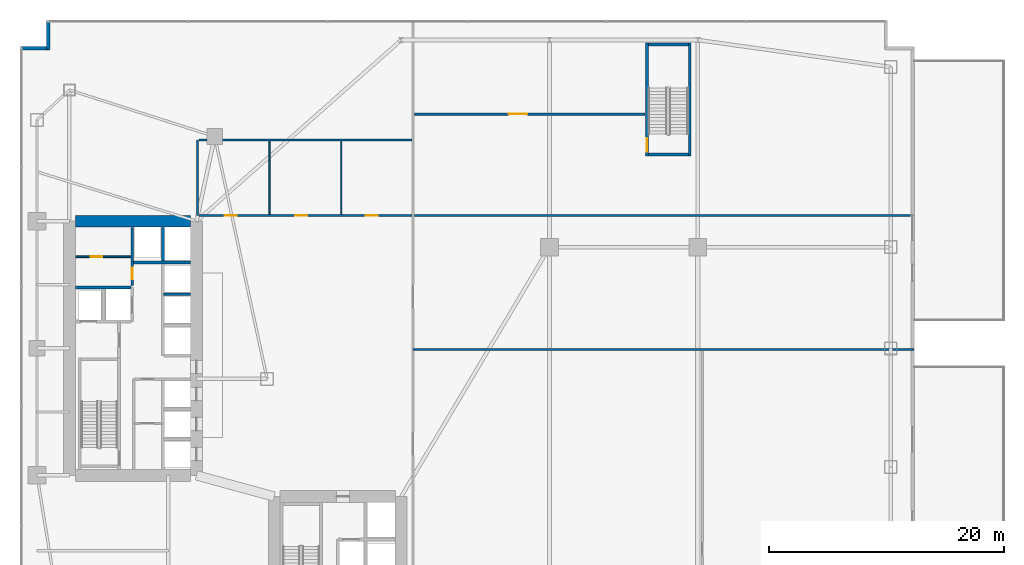
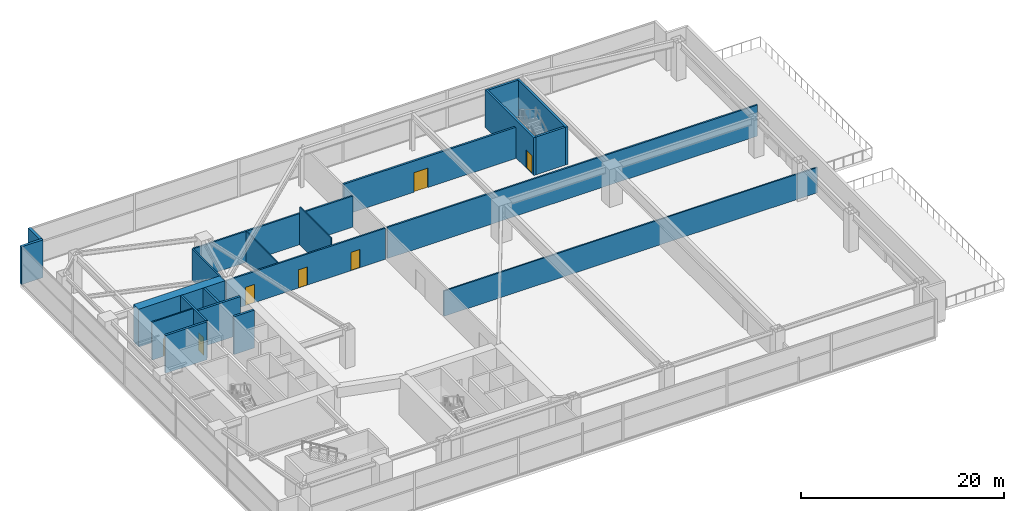
# One storey, part 26 of 30: 21 walls, 7 doors, 7 openings.
"""IFC4 building model written with IfcOpenShell, lengths in metres."""

from ifc_helpers import new_model, si_unit, direction, frame, frame_2d, origin, place, context, subcontext, project, spatial, rectangle, extrude, material, layer, layer_set, type_object, element, fill, save


model = new_model("IFC4")

# Units and contexts
model_context = context("Model", 3, precision=1e-05, world=origin(), true_north=direction((0.0, 1.0)))
body_context = subcontext(model_context, "Body", "Model", "MODEL_VIEW")
ifc_project = project(units=[si_unit("LENGTHUNIT", "METRE"), si_unit("AREAUNIT", "SQUARE_METRE"), si_unit("VOLUMEUNIT", "CUBIC_METRE"), si_unit("PLANEANGLEUNIT", "RADIAN"), si_unit("MASSUNIT", "GRAM", prefix="KILO")], contexts=[model_context])

# Site, building, storey
site_placement = place(None, origin())
site = spatial("IfcSite", under=ifc_project, at=site_placement, CompositionType="ELEMENT")
building_placement = place(site_placement, origin())
building = spatial("IfcBuilding", under=site, at=building_placement, Name="Calvorn Quay Hotel", CompositionType="ELEMENT")
storey_placement = place(building_placement, frame((0.0, 0.0, 17.0)))
storey = spatial("IfcBuildingStorey", under=building, at=storey_placement, Name="L03", CompositionType="ELEMENT", Elevation=17.0)

# Wall
ifc_material_1 = material(Name="Concrete C60", Category="concrete")
ifc_layer_1 = layer(ifc_material_1, 1.0)
ifc_layer_set_1 = layer_set([ifc_layer_1], Name="WL-CORE-1000")
wall_type_1 = type_object("IfcWallType", Name="WL-CORE-1000", PredefinedType="SHEAR", material=ifc_layer_set_1)
wall_1_placement = place(storey_placement, frame((4.699951171875, 38.39990234375, 0.0), z_axis=(0.0, 0.0, 1.0), x_axis=(1.0, 0.0, 0.0)))
element("IfcWall", 1, at=wall_1_placement, inside=storey, type_object=wall_type_1, Name="West Core Shear Wall N (L03)", PredefinedType="SHEAR", context=body_context, shape_type="SweptSolid", body=[
    extrude(rectangle(XDim=9.800048828125, YDim=1.0, at=frame_2d((4.89990234375, 0.0))), origin(), (0.0, 0.0, 1.0), 4.550048828125),
])

# Wall, openings, doors
ifc_material_2 = material(Name="Acoustic Fireboard Steel-Stud Partition", Category="steel")
ifc_layer_2 = layer(ifc_material_2, 0.179931640625)
ifc_layer_set_2 = layer_set([ifc_layer_2], Name="WL-CORR-FIRE-180")
wall_type_2 = type_object("IfcWallType", Name="WL-CORR-FIRE-180", PredefinedType="PARTITIONING", material=ifc_layer_set_2)
wall_2_placement = place(storey_placement, frame((15.199951171875, 38.89990234375, 0.0), z_axis=(0.0, 0.0, 1.0), x_axis=(1.0, 0.0, 0.0)))
wall_2 = element("IfcWall", 2, at=wall_2_placement, inside=storey, type_object=wall_type_2, Name="Partition Wall L03-WL-PWC-S", PredefinedType="PARTITIONING", context=body_context, shape_type="SweptSolid", body=[
    extrude(rectangle(XDim=18.10009765625, YDim=0.179931640625, at=frame_2d((9.050048828125, 0.0))), origin(), (0.0, 0.0, 1.0), 3.75),
])
opening_1_placement = place(wall_2_placement, frame((2.199951171875, 0.0, 0.0)))
opening_1 = element("IfcOpeningElement", 3, at=opening_1_placement, cuts=wall_2, Name="Opening D-L03-WM", PredefinedType="OPENING", context=body_context, shape_type="SweptSolid", body=[
    extrude(rectangle(XDim=1.02001953125, YDim=2.199951171875, at=frame_2d((0.510009765625, 1.10009765625))), frame((0.0, 0.099853515625, 0.0), z_axis=(0.0, -1.0, 0.0), x_axis=(1.0, 0.0, 0.0)), (0.0, 0.0, 1.0), 0.199951171875),
])
opening_2_placement = place(wall_2_placement, frame((8.199951171875, 0.0, 0.0)))
opening_2 = element("IfcOpeningElement", 4, at=opening_2_placement, cuts=wall_2, Name="Opening D-L03-WF", PredefinedType="OPENING", context=body_context, shape_type="SweptSolid", body=[
    extrude(rectangle(XDim=1.02001953125, YDim=2.199951171875, at=frame_2d((0.510009765625, 1.10009765625))), frame((0.0, 0.099853515625, 0.0), z_axis=(0.0, -1.0, 0.0), x_axis=(1.0, 0.0, 0.0)), (0.0, 0.0, 1.0), 0.199951171875),
])
opening_3_placement = place(wall_2_placement, frame((14.199951171875, 0.0, 0.0)))
opening_3 = element("IfcOpeningElement", 5, at=opening_3_placement, cuts=wall_2, Name="Opening D-L03-WA", PredefinedType="OPENING", context=body_context, shape_type="SweptSolid", body=[
    extrude(rectangle(XDim=1.02001953125, YDim=2.199951171875, at=frame_2d((0.510009765625, 1.10009765625))), frame((0.0, 0.099853515625, 0.0), z_axis=(0.0, -1.0, 0.0), x_axis=(1.0, 0.0, 0.0)), (0.0, 0.0, 1.0), 0.199951171875),
])
ifc_material_3 = material(Name="Solid-Core Walnut Veneer Hotel Fire Door")
door_type_1 = type_object("IfcDoorType", Name="DR-GUEST-ENTRY-1020", OperationType="NOTDEFINED", PredefinedType="DOOR", material=ifc_material_3)
door_1_placement = place(opening_1_placement, origin())
door_1 = element("IfcDoor", 6, at=door_1_placement, inside=storey, type_object=door_type_1, Name="Male WC Door", OperationType="SINGLE_SWING_LEFT", OverallHeight=2.199951171875, OverallWidth=1.02001953125, PredefinedType="DOOR", context=body_context, shape_type="SweptSolid", body=[
    extrude(rectangle(XDim=1.02001953125, YDim=2.199951171875, at=frame_2d((0.510009765625, 1.10009765625))), frame((0.0, 0.02490234375, 0.0), z_axis=(0.0, -1.0, 0.0), x_axis=(1.0, 0.0, 0.0)), (0.0, 0.0, 1.0), 0.050048828125),
])
fill(opening_1, door_1)
door_2_placement = place(opening_2_placement, origin())
door_2 = element("IfcDoor", 7, at=door_2_placement, inside=storey, type_object=door_type_1, Name="Female WC Door", OperationType="SINGLE_SWING_RIGHT", OverallHeight=2.199951171875, OverallWidth=1.02001953125, PredefinedType="DOOR", context=body_context, shape_type="SweptSolid", body=[
    extrude(rectangle(XDim=1.02001953125, YDim=2.199951171875, at=frame_2d((0.510009765625, 1.10009765625))), frame((0.0, 0.02490234375, 0.0), z_axis=(0.0, -1.0, 0.0), x_axis=(1.0, 0.0, 0.0)), (0.0, 0.0, 1.0), 0.050048828125),
])
fill(opening_2, door_2)
door_3_placement = place(opening_3_placement, origin())
door_3 = element("IfcDoor", 8, at=door_3_placement, inside=storey, type_object=door_type_1, Name="Accessible WC Door", OperationType="SINGLE_SWING_LEFT", OverallHeight=2.199951171875, OverallWidth=1.02001953125, PredefinedType="DOOR", context=body_context, shape_type="SweptSolid", body=[
    extrude(rectangle(XDim=1.02001953125, YDim=2.199951171875, at=frame_2d((0.510009765625, 1.10009765625))), frame((0.0, 0.02490234375, 0.0), z_axis=(0.0, -1.0, 0.0), x_axis=(1.0, 0.0, 0.0)), (0.0, 0.0, 1.0), 0.050048828125),
])
fill(opening_3, door_3)

# Walls
wall_3_placement = place(storey_placement, frame((15.199951171875, 45.300048828125, 0.0), z_axis=(0.0, 0.0, 1.0), x_axis=(1.0, 0.0, 0.0)))
element("IfcWall", 9, at=wall_3_placement, inside=storey, type_object=wall_type_2, Name="Partition Wall L03-WL-PWC-N", PredefinedType="PARTITIONING", context=body_context, shape_type="SweptSolid", body=[
    extrude(rectangle(XDim=18.10009765625, YDim=0.179931640625, at=frame_2d((9.050048828125, 0.0))), origin(), (0.0, 0.0, 1.0), 3.75),
])
wall_4_placement = place(storey_placement, frame((15.10009765625, 38.89990234375, 0.0), z_axis=(0.0, 0.0, 1.0), x_axis=(0.0, 1.0, 0.0)))
element("IfcWall", 10, at=wall_4_placement, inside=storey, type_object=wall_type_2, Name="Partition Wall L03-WL-PWC-W", PredefinedType="PARTITIONING", context=body_context, shape_type="SweptSolid", body=[
    extrude(rectangle(XDim=6.400146484375, YDim=0.179931640625, at=frame_2d((3.2001953125, 0.0))), origin(), (0.0, 0.0, 1.0), 3.75),
])
wall_5_placement = place(storey_placement, frame((33.52001953125, 38.89990234375, 0.0), z_axis=(0.0, 0.0, 1.0), x_axis=(1.0, 0.0, 0.0)))
element("IfcWall", 11, at=wall_5_placement, inside=storey, type_object=wall_type_2, Name="Partition Wall L03-WL-L03-RS-N", PredefinedType="PARTITIONING", context=body_context, shape_type="SweptSolid", body=[
    extrude(rectangle(XDim=42.159912109375, YDim=0.179931640625, at=frame_2d((21.080078125, 0.0))), origin(), (0.0, 0.0, 1.0), 3.75),
])
ifc_material_4 = material(Name="Moisture-Resistant Tile-Backed Partition")
ifc_layer_3 = layer(ifc_material_4, 0.125)
ifc_layer_set_3 = layer_set([ifc_layer_3], Name="WL-ENSUITE-125")
wall_type_3 = type_object("IfcWallType", Name="WL-ENSUITE-125", PredefinedType="PARTITIONING", material=ifc_layer_set_3)
wall_6_placement = place(storey_placement, frame((21.199951171875, 39.0, 0.0), z_axis=(0.0, 0.0, 1.0), x_axis=(0.0, 1.0, 0.0)))
element("IfcWall", 12, at=wall_6_placement, inside=storey, type_object=wall_type_3, Name="Partition Wall L03-WL-PWC-D1", PredefinedType="PARTITIONING", context=body_context, shape_type="SweptSolid", body=[
    extrude(rectangle(XDim=6.199951171875, YDim=0.125, at=frame_2d((3.10009765625, 0.0))), origin(), (0.0, 0.0, 1.0), 3.75),
])
wall_7_placement = place(storey_placement, frame((27.300048828125, 39.0, 0.0), z_axis=(0.0, 0.0, 1.0), x_axis=(0.0, 1.0, 0.0)))
element("IfcWall", 13, at=wall_7_placement, inside=storey, type_object=wall_type_3, Name="Partition Wall L03-WL-PWC-D2", PredefinedType="PARTITIONING", context=body_context, shape_type="SweptSolid", body=[
    extrude(rectangle(XDim=6.199951171875, YDim=0.125, at=frame_2d((3.10009765625, 0.0))), origin(), (0.0, 0.0, 1.0), 4.550048828125),
])
ifc_material_5 = material(Name="Concrete C40", Category="concrete")
ifc_layer_4 = layer(ifc_material_5, 0.320068359375)
ifc_layer_set_4 = layer_set([ifc_layer_4], Name="WL-EXT-SPANDREL-320")
wall_type_4 = type_object("IfcWallType", Name="WL-EXT-SPANDREL-320", PredefinedType="SOLIDWALL", material=ifc_layer_set_4)
for number, where, z_axis, x_axis, name in (
    (14, (2.39990234375, 55.4599609375, 0.0), (0.0, 0.0, 1.0), (0.0, -1.0, 0.0), "Podium Notched Corner Wall L03-NW1"),
    (15, (2.5, 53.10009765625, 0.0), (0.0, 0.0, 1.0), (-1.0, 0.0, 0.0), "Podium Notched Corner Wall L03-NW2"),
):
    element("IfcWall", number, at=place(storey_placement, frame(where, z_axis=z_axis, x_axis=x_axis)), inside=storey, type_object=wall_type_4, Name=name, PredefinedType="SOLIDWALL", context=body_context, shape_type="SweptSolid", body=[
        extrude(rectangle(XDim=2.4599609375, YDim=0.280029296875, at=frame_2d((1.22998046875, 0.0))), origin(), (0.0, 0.0, 1.0), 4.550048828125),
    ])

# Wall, opening, door
ifc_material_6 = material(Name="Double-Stud Acoustic Gypsum Partition")
ifc_layer_5 = layer(ifc_material_6, 0.159912109375)
ifc_layer_set_5 = layer_set([ifc_layer_5], Name="WL-INTERSUITE-160")
wall_type_5 = type_object("IfcWallType", Name="WL-INTERSUITE-160", PredefinedType="PARTITIONING", material=ifc_layer_set_5)
wall_8_placement = place(storey_placement, frame((4.719970703125, 35.3798828125, 0.0), z_axis=(0.0, 0.0, 1.0), x_axis=(1.0, 0.0, 0.0)))
wall_8 = element("IfcWall", 16, at=wall_8_placement, inside=storey, type_object=wall_type_5, Name="Partition Wall L03-WL-CWW-K-MID", PredefinedType="PARTITIONING", context=body_context, shape_type="SweptSolid", body=[
    extrude(rectangle(XDim=4.699951171875, YDim=0.159912109375, at=frame_2d((2.35009765625, 0.0))), origin(), (0.0, 0.0, 1.0), 4.550048828125),
])
opening_4_placement = place(wall_8_placement, frame((1.300048828125, 0.0, 0.0)))
opening_4 = element("IfcOpeningElement", 17, at=opening_4_placement, cuts=wall_8, Name="Opening D-L03-CK2", PredefinedType="OPENING", context=body_context, shape_type="SweptSolid", body=[
    extrude(rectangle(XDim=0.97998046875, YDim=2.14990234375, at=frame_2d((0.489990234375, 1.074951171875))), frame((0.0, 0.08984375, 0.0), z_axis=(0.0, -1.0, 0.0), x_axis=(1.0, 0.0, 0.0)), (0.0, 0.0, 1.0), 0.179931640625),
])
ifc_material_7 = material(Name="Painted Steel Housekeeping/Riser Fire Door", Category="steel")
door_type_2 = type_object("IfcDoorType", Name="DR-SERVICE-980", OperationType="NOTDEFINED", PredefinedType="DOOR", material=ifc_material_7)
door_4_placement = place(opening_4_placement, origin())
door_4 = element("IfcDoor", 18, at=door_4_placement, inside=storey, type_object=door_type_2, Name="Electrical Riser Door (L03)", OperationType="SINGLE_SWING_RIGHT", OverallHeight=2.14990234375, OverallWidth=0.97998046875, PredefinedType="DOOR", context=body_context, shape_type="SweptSolid", body=[
    extrude(rectangle(XDim=0.97998046875, YDim=2.14990234375, at=frame_2d((0.489990234375, 1.074951171875))), frame((0.0, 0.02490234375, 0.0), z_axis=(0.0, -1.0, 0.0), x_axis=(1.0, 0.0, 0.0)), (0.0, 0.0, 1.0), 0.050048828125),
])
fill(opening_4, door_4)

# Wall
wall_9_placement = place(storey_placement, frame((33.39990234375, 27.5, 0.0), z_axis=(0.0, 0.0, 1.0), x_axis=(1.0, 0.0, 0.0)))
element("IfcWall", 19, at=wall_9_placement, inside=storey, type_object=wall_type_5, Name="Partition Wall L03-WL-L03-RS-M", PredefinedType="PARTITIONING", context=body_context, shape_type="SweptSolid", body=[
    extrude(rectangle(XDim=42.5400390625, YDim=0.159912109375, at=frame_2d((21.27001953125, 0.0))), origin(), (0.0, 0.0, 1.0), 3.050048828125),
])

# Wall, opening, door
ifc_material_8 = material(Name="Autoclaved Aerated Masonry Block", Category="masonry")
ifc_layer_6 = layer(ifc_material_8, 0.219970703125)
ifc_layer_set_6 = layer_set([ifc_layer_6], Name="WL-LOBBY-FIRE-220")
wall_type_6 = type_object("IfcWallType", Name="WL-LOBBY-FIRE-220", PredefinedType="SOLIDWALL", material=ifc_layer_set_6)
wall_10_placement = place(storey_placement, frame((9.5400390625, 32.919921875, 0.0), z_axis=(0.0, 0.0, 1.0), x_axis=(0.0, 1.0, 0.0)))
wall_10 = element("IfcWall", 20, at=wall_10_placement, inside=storey, type_object=wall_type_6, Name="Partition Wall L03-WL-CWW-K-E", PredefinedType="SOLIDWALL", context=body_context, shape_type="SweptSolid", body=[
    extrude(rectangle(XDim=4.9599609375, YDim=0.219970703125, at=frame_2d((2.47998046875, 0.0))), origin(), (0.0, 0.0, 1.0), 4.550048828125),
])
opening_5_placement = place(wall_10_placement, frame((0.550048828125, 0.0, 0.0)))
opening_5 = element("IfcOpeningElement", 21, at=opening_5_placement, cuts=wall_10, Name="Opening D-L03-CK1", PredefinedType="OPENING", context=body_context, shape_type="SweptSolid", body=[
    extrude(rectangle(XDim=0.97998046875, YDim=2.14990234375, at=frame_2d((0.489990234375, 1.074951171875))), frame((0.0, 0.119873046875, 0.0), z_axis=(0.0, -1.0, 0.0), x_axis=(1.0, 0.0, 0.0)), (0.0, 0.0, 1.0), 0.239990234375),
])
door_5_placement = place(opening_5_placement, origin())
door_5 = element("IfcDoor", 22, at=door_5_placement, inside=storey, type_object=door_type_2, Name="Core Housekeeping Door (L03)", OperationType="SINGLE_SWING_LEFT", OverallHeight=2.14990234375, OverallWidth=0.97998046875, PredefinedType="DOOR", context=body_context, shape_type="SweptSolid", body=[
    extrude(rectangle(XDim=0.97998046875, YDim=2.14990234375, at=frame_2d((0.489990234375, 1.074951171875))), frame((0.0, 0.02490234375, 0.0), z_axis=(0.0, -1.0, 0.0), x_axis=(1.0, 0.0, 0.0)), (0.0, 0.0, 1.0), 0.050048828125),
])
fill(opening_5, door_5)

wall_11_placement = place(storey_placement, frame((33.52001953125, 47.5, 0.0), z_axis=(0.0, 0.0, 1.0), x_axis=(1.0, 0.0, 0.0)))
wall_11 = element("IfcWall", 23, at=wall_11_placement, inside=storey, type_object=wall_type_6, Name="Partition Wall L03-WL-L03-KT-S", PredefinedType="SOLIDWALL", context=body_context, shape_type="SweptSolid", body=[
    extrude(rectangle(XDim=19.580078125, YDim=0.219970703125, at=frame_2d((9.7900390625, 0.0))), origin(), (0.0, 0.0, 1.0), 3.75),
])
opening_6_placement = place(wall_11_placement, frame((8.0, 0.0, 0.0)))
opening_6 = element("IfcOpeningElement", 24, at=opening_6_placement, cuts=wall_11, Name="Opening D-L03-03", PredefinedType="OPENING", context=body_context, shape_type="SweptSolid", body=[
    extrude(rectangle(XDim=1.60009765625, YDim=2.35009765625, at=frame_2d((0.800048828125, 1.175048828125))), frame((0.0, 0.119873046875, 0.0), z_axis=(0.0, -1.0, 0.0), x_axis=(1.0, 0.0, 0.0)), (0.0, 0.0, 1.0), 0.239990234375),
])
ifc_material_9 = material(Name="Heavy-Duty Steel Acoustic Plant Fire Door", Category="steel")
door_type_3 = type_object("IfcDoorType", Name="DR-PLANT-DBL-1600", OperationType="NOTDEFINED", PredefinedType="DOOR", material=ifc_material_9)
door_6_placement = place(opening_6_placement, origin())
door_6 = element("IfcDoor", 25, at=door_6_placement, inside=storey, type_object=door_type_3, Name="Culinary Kitchen Door", OperationType="SINGLE_SWING_LEFT", OverallHeight=2.35009765625, OverallWidth=1.60009765625, PredefinedType="DOOR", context=body_context, shape_type="SweptSolid", body=[
    extrude(rectangle(XDim=1.60009765625, YDim=2.35009765625, at=frame_2d((0.800048828125, 1.175048828125))), frame((0.0, 0.02490234375, 0.0), z_axis=(0.0, -1.0, 0.0), x_axis=(1.0, 0.0, 0.0)), (0.0, 0.0, 1.0), 0.050048828125),
])
fill(opening_6, door_6)

ifc_material_10 = material(Name="Concrete C40", Category="concrete")
ifc_layer_7 = layer(ifc_material_10, 0.239990234375)
ifc_layer_set_7 = layer_set([ifc_layer_7], Name="WL-SHAFT-240")
wall_type_7 = type_object("IfcWallType", Name="WL-SHAFT-240", PredefinedType="SOLIDWALL", material=ifc_layer_set_7)
wall_12_placement = place(storey_placement, frame((53.280029296875, 43.9599609375, 0.0), z_axis=(0.0, 0.0, 1.0), x_axis=(0.0, 1.0, 0.0)))
wall_12 = element("IfcWall", 26, at=wall_12_placement, inside=storey, type_object=wall_type_7, Name="Stair STP1 Shaft Wall W (L03)", PredefinedType="SOLIDWALL", context=body_context, shape_type="SweptSolid", body=[
    extrude(rectangle(XDim=9.580078125, YDim=0.239990234375, at=frame_2d((4.7900390625, 0.0))), origin(), (0.0, 0.0, 1.0), 4.550048828125),
])
opening_7_placement = place(wall_12_placement, frame((0.35009765625, 0.0, 0.0)))
opening_7 = element("IfcOpeningElement", 27, at=opening_7_placement, cuts=wall_12, Name="Opening D-L03-STP1", PredefinedType="OPENING", context=body_context, shape_type="SweptSolid", body=[
    extrude(rectangle(XDim=1.14990234375, YDim=2.199951171875, at=frame_2d((0.574951171875, 1.10009765625))), frame((0.0, 0.1298828125, 0.0), z_axis=(0.0, -1.0, 0.0), x_axis=(1.0, 0.0, 0.0)), (0.0, 0.0, 1.0), 0.260009765625),
])
ifc_material_11 = material(Name="Galvanised Steel Class A Fire Door", Category="steel")
door_type_4 = type_object("IfcDoorType", Name="DR-STAIR-SMOKE-1150", OperationType="NOTDEFINED", PredefinedType="DOOR", material=ifc_material_11)
door_7_placement = place(opening_7_placement, origin())
door_7 = element("IfcDoor", 28, at=door_7_placement, inside=storey, type_object=door_type_4, Name="Podium Stair ST-P1 Fire Door (L03)", OperationType="SINGLE_SWING_LEFT", OverallHeight=2.199951171875, OverallWidth=1.14990234375, PredefinedType="DOOR", context=body_context, shape_type="SweptSolid", body=[
    extrude(rectangle(XDim=1.14990234375, YDim=2.199951171875, at=frame_2d((0.574951171875, 1.10009765625))), frame((0.0, 0.02490234375, 0.0), z_axis=(0.0, -1.0, 0.0), x_axis=(1.0, 0.0, 0.0)), (0.0, 0.0, 1.0), 0.050048828125),
])
fill(opening_7, door_7)

# Walls
wall_13_placement = place(storey_placement, frame((56.919921875, 43.9599609375, 0.0), z_axis=(0.0, 0.0, 1.0), x_axis=(0.0, 1.0, 0.0)))
element("IfcWall", 29, at=wall_13_placement, inside=storey, type_object=wall_type_7, Name="Stair STP1 Shaft Wall E (L03)", PredefinedType="SOLIDWALL", context=body_context, shape_type="SweptSolid", body=[
    extrude(rectangle(XDim=9.580078125, YDim=0.239990234375, at=frame_2d((4.7900390625, 0.0))), origin(), (0.0, 0.0, 1.0), 4.550048828125),
])
for number, where, z_axis, x_axis, name in (
    (30, (53.39990234375, 44.080078125, 0.0), (0.0, 0.0, 1.0), (1.0, 0.0, 0.0), "Stair STP1 Shaft Wall S (L03)"),
    (31, (53.39990234375, 53.419921875, 0.0), (0.0, 0.0, 1.0), (1.0, 0.0, 0.0), "Stair STP1 Shaft Wall N (L03)"),
):
    element("IfcWall", number, at=place(storey_placement, frame(where, z_axis=z_axis, x_axis=x_axis)), inside=storey, type_object=wall_type_7, Name=name, PredefinedType="SOLIDWALL", context=body_context, shape_type="SweptSolid", body=[
        extrude(rectangle(XDim=3.400146484375, YDim=0.239990234375, at=frame_2d((1.7001953125, 0.0))), origin(), (0.0, 0.0, 1.0), 4.550048828125),
    ])
wall_14_placement = place(storey_placement, frame((12.179931640625, 32.199951171875, 0.0), z_axis=(0.0, 0.0, 1.0), x_axis=(1.0, 0.0, 0.0)))
element("IfcWall", 32, at=wall_14_placement, inside=storey, type_object=wall_type_7, Name="Lift Hoistway Divider Wall PLM23 (L03)", PredefinedType="SOLIDWALL", context=body_context, shape_type="SweptSolid", body=[
    extrude(rectangle(XDim=2.320068359375, YDim=0.239990234375, at=frame_2d((1.16015625, 0.0))), origin(), (0.0, 0.0, 1.0), 4.550048828125),
])
wall_15_placement = place(storey_placement, frame((4.719970703125, 32.780029296875, 0.0), z_axis=(0.0, 0.0, 1.0), x_axis=(1.0, 0.0, 0.0)))
element("IfcWall", 33, at=wall_15_placement, inside=storey, type_object=wall_type_7, Name="Partition Wall L03-WL-CWW-SLW-N", PredefinedType="SOLIDWALL", context=body_context, shape_type="SweptSolid", body=[
    extrude(rectangle(XDim=4.699951171875, YDim=0.239990234375, at=frame_2d((2.35009765625, 0.0))), origin(), (0.0, 0.0, 1.0), 4.550048828125),
])
wall_16_placement = place(storey_placement, frame((9.659912109375, 34.89990234375, 0.0), z_axis=(0.0, 0.0, 1.0), x_axis=(1.0, 0.0, 0.0)))
element("IfcWall", 34, at=wall_16_placement, inside=storey, type_object=wall_type_7, Name="Partition Wall L03-WL-CWW-PLH-S", PredefinedType="SOLIDWALL", context=body_context, shape_type="SweptSolid", body=[
    extrude(rectangle(XDim=4.820068359375, YDim=0.239990234375, at=frame_2d((2.41015625, 0.0))), origin(), (0.0, 0.0, 1.0), 4.550048828125),
])
wall_17_placement = place(storey_placement, frame((12.14990234375, 35.02001953125, 0.0), z_axis=(0.0, 0.0, 1.0), x_axis=(0.0, 1.0, 0.0)))
element("IfcWall", 35, at=wall_17_placement, inside=storey, type_object=wall_type_7, Name="Partition Wall L03-WL-CWW-PLH-DIV", PredefinedType="SOLIDWALL", context=body_context, shape_type="SweptSolid", body=[
    extrude(rectangle(XDim=2.85986328125, YDim=0.239990234375, at=frame_2d((1.429931640625, 0.0))), origin(), (0.0, 0.0, 1.0), 4.550048828125),
])

save(model, "model.ifc")
